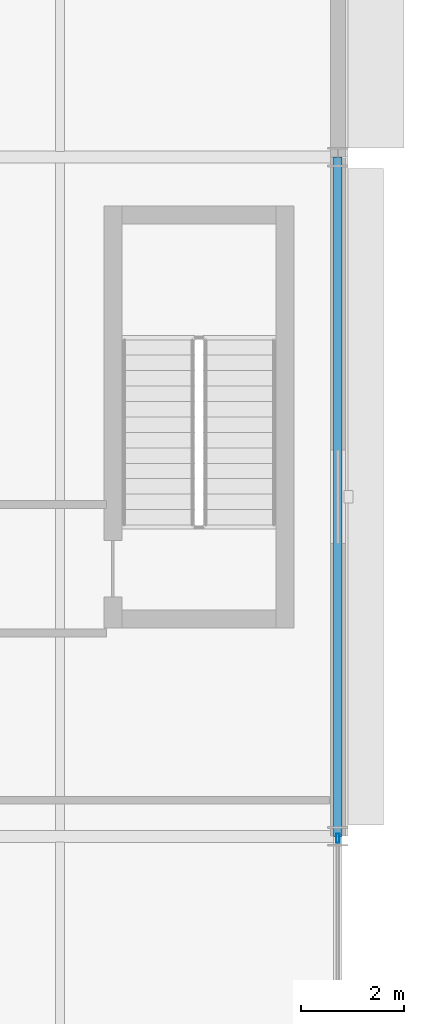
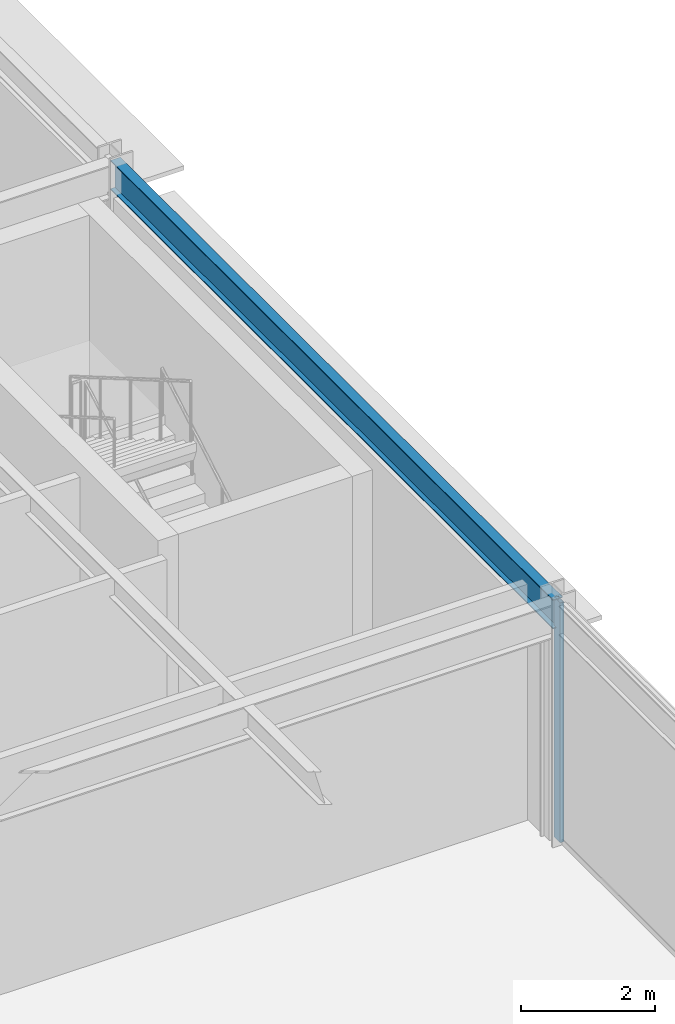
# One storey, part 94 of 133: 1 beam, 1 member, 1 element without a shape of its own.
"""IFC4 building model written with IfcOpenShell, lengths in metres."""

from ifc_helpers import new_model, si_unit, direction, frame, origin, origin_2d, place, context, subcontext, project, spatial, hollow_rectangle, i_section, extrude, material, material_profile, profile_set, type_object, element, aggregate, save


model = new_model("IFC4")

# Units and contexts
model_context = context("Model", 3, precision=1e-05, world=origin(), true_north=direction((0.0, 1.0)))
body_context = subcontext(model_context, "Body", "Model", "MODEL_VIEW")
ifc_project = project(units=[si_unit("LENGTHUNIT", "METRE"), si_unit("AREAUNIT", "SQUARE_METRE"), si_unit("VOLUMEUNIT", "CUBIC_METRE"), si_unit("PLANEANGLEUNIT", "RADIAN"), si_unit("MASSUNIT", "GRAM", prefix="KILO")], contexts=[model_context])

# Site, building, storey
site_placement = place(None, origin())
site = spatial("IfcSite", under=ifc_project, at=site_placement, CompositionType="ELEMENT")
building_placement = place(site_placement, origin())
building = spatial("IfcBuilding", under=site, at=building_placement, Name="Almandine Court Research Institute", CompositionType="ELEMENT")
storey_placement = place(building_placement, frame((0.0, 0.0, 9.800048828125)))
storey = spatial("IfcBuildingStorey", under=building, at=storey_placement, Name="L02", CompositionType="ELEMENT", Elevation=9.800048828125)

# Beam
ifc_material_1 = material(Name="Steel ASTM A992 Grade 50", Category="steel")
ifc_material_profile_1 = material_profile(ifc_material_1, i_section(OverallWidth=0.166015625, OverallDepth=0.534912109375, WebThickness=0.010009765625, FlangeThickness=0.01708984375, at=origin_2d()), Name="W530x85")
ifc_profile_set_1 = profile_set([ifc_material_profile_1], Name="Steel ASTM A992 Grade 50")
beam_type = type_object("IfcBeamType", Name="Beam-G-05-E", PredefinedType="SPANDREL", material=ifc_profile_set_1)
beam_placement = place(storey_placement, frame((174.0, 70.800048828125, 4.10205078125), z_axis=(0.0, 1.0, 0.0), x_axis=(-1.0, 0.0, 0.0)))
element("IfcBeam", 1, at=beam_placement, inside=storey, type_object=beam_type, Name="L02 V4 Primary Y Girder", PredefinedType="SPANDREL", context=body_context, shape_type="SweptSolid", body=[
    extrude(i_section(OverallWidth=0.166015625, OverallDepth=0.534912109375, WebThickness=0.010009765625, FlangeThickness=0.01708984375, at=origin_2d()), origin(), (0.0, 0.0, 1.0), 13.199951171875),
])

# Curtain wall, member
ifc_material_2 = material(Name="Unitised Curtain Wall Framing and Solar Glazing", Category="glass")
curtain_wall_type = type_object("IfcCurtainWallType", Name="CW-CWJ-15", PredefinedType="USERDEFINED", material=ifc_material_2)
curtain_wall_placement = place(storey_placement, origin())
curtain_wall = element("IfcCurtainWall", 2, at=curtain_wall_placement, inside=storey, type_object=curtain_wall_type, Name="L02 Wet Lab East Jali Curtain Wall 6", ObjectType="SOLAR JALI SCREEN", PredefinedType="USERDEFINED")
ifc_material_3 = material(Name="Anodised Aluminium AW-6063-T6", Category="aluminium")
ifc_material_profile_2 = material_profile(ifc_material_3, hollow_rectangle(XDim=0.06494140625, YDim=0.179931640625, WallThickness=0.00390625, at=origin_2d()), Name="ALU RHS 65x180x4")
ifc_profile_set_2 = profile_set([ifc_material_profile_2], Name="Anodised Aluminium AW-6063-T6")
member_type = type_object("IfcMemberType", Name="CWMul-65x180", PredefinedType="MULLION", material=ifc_profile_set_2)
member_placement = place(storey_placement, frame((174.0, 70.763427734375, 0.0), z_axis=(0.0, 0.0, 1.0), x_axis=(1.0, 0.0, 0.0)))
member = element("IfcMember", 3, at=member_placement, type_object=member_type, Name="CWJ-15 mullion 1", PredefinedType="MULLION", context=body_context, shape_type="SweptSolid", body=[
    extrude(hollow_rectangle(XDim=0.06494140625, YDim=0.179931640625, WallThickness=0.00390625, at=origin_2d()), origin(), (0.0, 0.0, 1.0), 4.369873046875),
])
aggregate(curtain_wall, [member])

save(model, "model.ifc")
